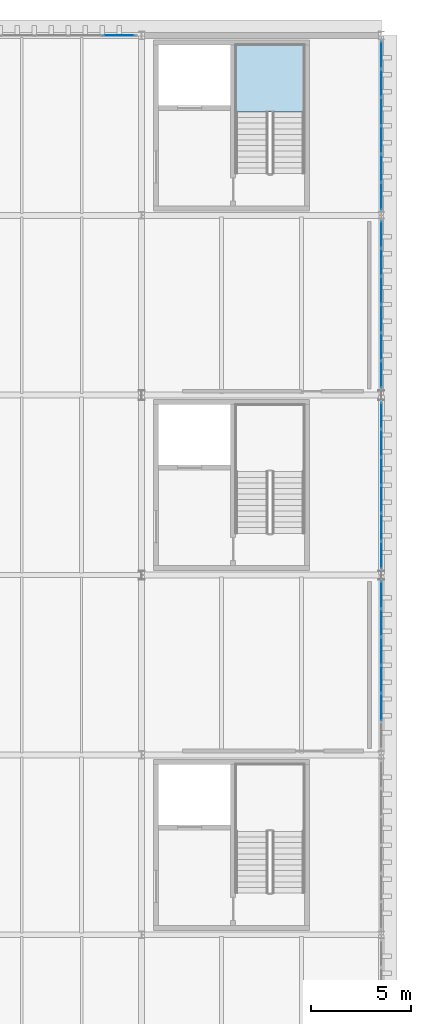
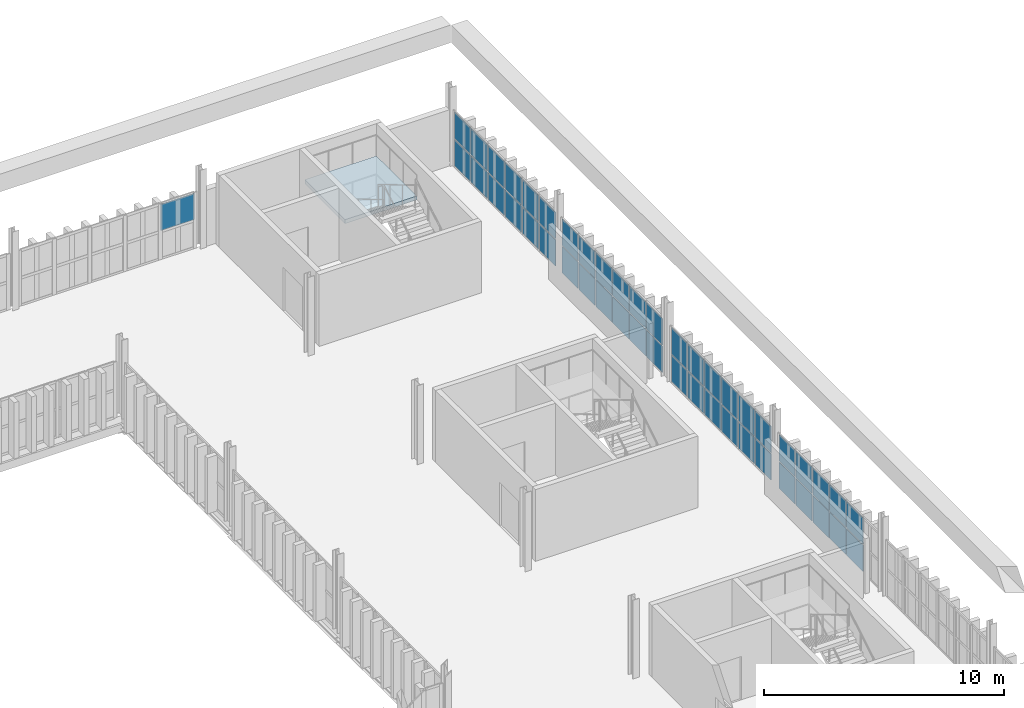
# One storey, part 87 of 102: 47 plates, 1 slab, 6 elements without a shape of their own.
"""IFC4 building model written with IfcOpenShell, lengths in metres."""

import ifcopenshell
import ifcopenshell.guid

model = None  # the IFC model being written
_history = None  # IfcOwnerHistory: only IFC2X3 demands one
_inside = {}  # id of a spatial element -> (the spatial element, [elements in it])
_under = {}  # id of a project, library or spatial element -> (it, [spatial elements below it])
_declared = {}  # id of a project -> (the project, [libraries it declares])
_typed = {}  # id of a type object -> (the type object, [elements of that type])
_made_of = {}  # id of a material, layer set ... -> (it, [elements and type objects made of it])


def new_model(schema):
    """Start an empty IFC model of exactly this schema.

    Asked for "IFC4X3", IfcOpenShell would pick the latest addendum, in which some entities
    have other attributes; the version numbers below select the first issue.
    IFC2X3 requires an IfcOwnerHistory on every rooted entity: one is made here for all.
    """
    global model, _history
    if schema == "IFC4X3":
        model = ifcopenshell.file(schema_version=(4, 3, 0, 0))
    else:
        model = ifcopenshell.file(schema=schema)
    _inside.clear()
    _under.clear()
    _declared.clear()
    _typed.clear()
    _made_of.clear()
    _history = None
    if model.schema == "IFC2X3":
        org = make("IfcOrganization", Name="unknown")
        user = make(
            "IfcPersonAndOrganization",
            ThePerson=make("IfcPerson", FamilyName="unknown"),
            TheOrganization=org,
        )
        app = make(
            "IfcApplication",
            ApplicationDeveloper=org,
            Version="unknown",
            ApplicationFullName="unknown",
            ApplicationIdentifier="unknown",
        )
        _history = make(
            "IfcOwnerHistory",
            OwningUser=user,
            OwningApplication=app,
            ChangeAction="ADDED",
            CreationDate=0,
        )
    return model


def make(cls, **values):
    """One entity of the class cls with the attributes given. An attribute that is None is left unset."""
    return model.create_entity(
        cls, **{name: value for name, value in values.items() if value is not None}
    )


def rooted(cls, **values):
    """An entity with a GlobalId (a new one), such as an element, a storey or a relation."""
    return make(cls, GlobalId=ifcopenshell.guid.new(), OwnerHistory=_history, **values)


def si_unit(unit_type, name, prefix=None):
    """IfcSIUnit, for example si_unit("LENGTHUNIT", "METRE", prefix="MILLI")."""
    return make("IfcSIUnit", UnitType=unit_type, Prefix=prefix, Name=name)


def assignment(units):
    """IfcUnitAssignment: the units of a project."""
    return None if units is None else make("IfcUnitAssignment", Units=units)


def point(xyz):
    """IfcCartesianPoint."""
    return None if xyz is None else make("IfcCartesianPoint", Coordinates=xyz)


def direction(xyz):
    """IfcDirection."""
    return None if xyz is None else make("IfcDirection", DirectionRatios=xyz)


def frame(location, z_axis=None, x_axis=None):
    """IfcAxis2Placement3D, a coordinate frame: its origin and axes. An axis left out is left unset."""
    return make(
        "IfcAxis2Placement3D",
        Location=point(location),
        Axis=direction(z_axis),
        RefDirection=direction(x_axis),
    )


def frame_2d(location, x_axis=None):
    """IfcAxis2Placement2D, a coordinate frame in the plane: its origin and x axis."""
    return make(
        "IfcAxis2Placement2D", Location=point(location), RefDirection=direction(x_axis)
    )


def origin():
    """The frame at (0, 0, 0) with its axes left unset."""
    return frame((0.0, 0.0, 0.0))


def origin_2d():
    """The frame at (0, 0) in the plane with its x axis left unset."""
    return frame_2d((0.0, 0.0))


def place(relative_to, where):
    """IfcLocalPlacement: puts the frame where relative to a parent placement (None: the world)."""
    return make(
        "IfcLocalPlacement", PlacementRelTo=relative_to, RelativePlacement=where
    )


def context(
    kind, dimensions, precision=None, world=None, true_north=None, identifier=None
):
    """IfcGeometricRepresentationContext, for example the 3D "Model" context."""
    return make(
        "IfcGeometricRepresentationContext",
        ContextIdentifier=identifier,
        ContextType=kind,
        CoordinateSpaceDimension=dimensions,
        Precision=precision,
        WorldCoordinateSystem=world,
        TrueNorth=true_north,
    )


def subcontext(parent, identifier, kind, view, scale=None):
    """IfcGeometricRepresentationSubContext, for example "Body" below "Model"."""
    return make(
        "IfcGeometricRepresentationSubContext",
        ContextIdentifier=identifier,
        ContextType=kind,
        ParentContext=parent,
        TargetScale=scale,
        TargetView=view,
    )


def project(units=None, contexts=None):
    """IfcProject with its units and contexts."""
    return rooted(
        "IfcProject",
        Name="project",
        RepresentationContexts=contexts,
        UnitsInContext=assignment(units),
    )


def spatial(cls, under=None, at=None, **own):
    """A site, building, storey or space (cls), placed at a placement, below another one or the project."""
    s = rooted(cls, ObjectPlacement=at, **own)
    if under is not None:
        _under.setdefault(under.id(), (under, []))[1].append(s)
    return s


def polyline(points):
    """IfcPolyline through the points."""
    return make("IfcPolyline", Points=[point(p) for p in points])


def profile(cls, at=None, kind="AREA", **sizes):
    """A parametric profile (cls). Its sizes go by their IFC names, for example OverallWidth=200.0."""
    return make(cls, ProfileType=kind, Position=at, **sizes)


def rectangle(**sizes):
    """IfcRectangleProfileDef."""
    return profile("IfcRectangleProfileDef", **sizes)


def outline(outer, holes=None, kind="AREA"):
    """IfcArbitraryClosedProfileDef: a profile drawn as a closed curve; with holes, ...WithVoids."""
    if holes is None:
        return make("IfcArbitraryClosedProfileDef", ProfileType=kind, OuterCurve=outer)
    return make(
        "IfcArbitraryProfileDefWithVoids",
        ProfileType=kind,
        OuterCurve=outer,
        InnerCurves=holes,
    )


def extrude(swept, where, along, depth):
    """IfcExtrudedAreaSolid: the profile swept, set in the frame where, extruded along a direction by depth."""
    return make(
        "IfcExtrudedAreaSolid",
        SweptArea=swept,
        Position=where,
        ExtrudedDirection=direction(along),
        Depth=depth,
    )


def shape(context_of_items, identifier, shape_type, items):
    """IfcShapeRepresentation: the items that make up one representation, for example the "Body"."""
    return make(
        "IfcShapeRepresentation",
        ContextOfItems=context_of_items,
        RepresentationIdentifier=identifier,
        RepresentationType=shape_type,
        Items=items,
    )


def material(Name=None, Category=None):
    """IfcMaterial."""
    return make("IfcMaterial", Name=Name, Category=Category)


def layer(
    of_material, thickness, ventilated=None, Name=None, Category=None, Priority=None
):
    """IfcMaterialLayer: one layer of a wall or slab, of a material (None: an air gap)."""
    return make(
        "IfcMaterialLayer",
        Material=of_material,
        LayerThickness=thickness,
        IsVentilated=ventilated,
        Name=Name,
        Category=Category,
        Priority=Priority,
    )


def layer_set(layers, Name=None):
    """IfcMaterialLayerSet."""
    return make("IfcMaterialLayerSet", MaterialLayers=layers, LayerSetName=Name)


def made_of(thing, what):
    """Note that an element or type object is made of a material, layer set ...; save() writes the relation."""
    if what is not None:
        _made_of.setdefault(what.id(), (what, []))[1].append(thing)
    return thing


def type_object(cls, material=None, **own):
    """A type object (cls), such as IfcWallType, which elements share."""
    return made_of(rooted(cls, **own), material)


def element(
    cls,
    number,
    at=None,
    inside=None,
    cuts=None,
    type_object=None,
    material=None,
    context=None,
    identifier="Body",
    shape_type=None,
    held_by="IfcProductDefinitionShape",
    body=None,
    shapes=None,
    **own,
):
    """One element of the class cls, such as IfcWall. Its Tag is "e" and its number.

    at: its placement. inside: the storey or other place that contains it. cuts: it is an
    opening in that element (IfcRelVoidsElement). A single representation is given by context,
    identifier, shape_type and body (its items); several are given by shapes. held_by: the class
    of the entity that holds the representations. save() writes the other relations.
    """
    e = rooted(cls, Tag="e%d" % number, ObjectPlacement=at, **own)
    if body is not None:
        shapes = [shape(context, identifier, shape_type, body)]
    if shapes is not None:
        e.Representation = make(held_by, Representations=shapes)
    if inside is not None:
        _inside.setdefault(inside.id(), (inside, []))[1].append(e)
    if cuts is not None:
        rooted(
            "IfcRelVoidsElement", RelatingBuildingElement=cuts, RelatedOpeningElement=e
        )
    if type_object is not None:
        _typed.setdefault(type_object.id(), (type_object, []))[1].append(e)
    return made_of(e, material)


def aggregate(whole, parts):
    """IfcRelAggregates: a whole, such as a stair, and the parts it consists of."""
    return rooted("IfcRelAggregates", RelatingObject=whole, RelatedObjects=parts)


def save(model, path):
    """Write the relations noted so far, then the file.

    IfcRelAggregates (storeys below a building ...), IfcRelContainedInSpatialStructure (elements
    in a storey), IfcRelDefinesByType, IfcRelAssociatesMaterial and IfcRelDeclares: one each for
    every whole, place, type object, material and project.
    """
    for whole, parts in _under.values():
        aggregate(whole, parts)
    for where, things in _inside.values():
        rooted(
            "IfcRelContainedInSpatialStructure",
            RelatedElements=things,
            RelatingStructure=where,
        )
    for kind, things in _typed.values():
        rooted("IfcRelDefinesByType", RelatedObjects=things, RelatingType=kind)
    for what, things in _made_of.values():
        rooted("IfcRelAssociatesMaterial", RelatedObjects=things, RelatingMaterial=what)
    for by, libraries in _declared.values():
        rooted("IfcRelDeclares", RelatingContext=by, RelatedDefinitions=libraries)
    model.write(path)


model = new_model("IFC4")

# Units and contexts
model_context = context("Model", 3, precision=1e-05, world=origin(), true_north=direction((0.0, 1.0)))
body_context = subcontext(model_context, "Body", "Model", "MODEL_VIEW")
ifc_project = project(units=[si_unit("LENGTHUNIT", "METRE"), si_unit("AREAUNIT", "SQUARE_METRE"), si_unit("VOLUMEUNIT", "CUBIC_METRE"), si_unit("PLANEANGLEUNIT", "RADIAN"), si_unit("MASSUNIT", "GRAM", prefix="KILO")], contexts=[model_context])

# Site, building, storey
site_placement = place(None, origin())
site = spatial("IfcSite", under=ifc_project, at=site_placement, CompositionType="ELEMENT")
building_placement = place(site_placement, origin())
building = spatial("IfcBuilding", under=site, at=building_placement, Name="Barlavento Convention Centre", CompositionType="ELEMENT")
storey_placement = place(building_placement, frame((0.0, 0.0, 22.800048828125)))
storey = spatial("IfcBuildingStorey", under=building, at=storey_placement, Name="L04", CompositionType="ELEMENT", Elevation=22.800048828125)

# Curtain wall, plates
ifc_material_1 = material(Name="Powder-coated aluminium and Low-E glass", Category="aluminium")
ifc_layer_1 = layer(ifc_material_1, 0.18505859375)
ifc_layer_set_1 = layer_set([ifc_layer_1], Name="ARC-CW-CONF-L04")
curtain_wall_type = type_object("IfcCurtainWallType", Name="ARC-CW-CONF-L04", PredefinedType="NOTDEFINED", material=ifc_layer_set_1)
curtain_wall_1_placement = place(storey_placement, origin())
curtain_wall_1 = element("IfcCurtainWall", 1, at=curtain_wall_1_placement, inside=storey, type_object=curtain_wall_type, Name="L04 unitised curtain wall CW09", PredefinedType="NOTDEFINED")
ifc_material_2 = material(Name="Double-silver Low-E insulated glass", Category="glass")
ifc_layer_2 = layer(ifc_material_2, 0.028076171875)
ifc_layer_set_2 = layer_set([ifc_layer_2], Name="ARC-CWP-GLZ28")
plate_type = type_object("IfcPlateType", Name="ARC-CWP-GLZ28", PredefinedType="CURTAIN_PANEL", material=ifc_layer_set_2)
plate_1_placement = place(storey_placement, frame((192.0, 65.373779296875, 0.06005859375), z_axis=(0.0, 0.0, 1.0), x_axis=(0.0, 1.0, 0.0)))
plate_1 = element("IfcPlate", 2, at=plate_1_placement, type_object=plate_type, Name="CW09 panel 2.1", PredefinedType="CURTAIN_PANEL", context=body_context, shape_type="SweptSolid", body=[
    extrude(rectangle(XDim=1.34912109375, YDim=0.028076171875, at=origin_2d()), origin(), (0.0, 0.0, 1.0), 1.3349609375),
])
plate_2_placement = place(storey_placement, frame((192.0, 65.373779296875, 1.455078125), z_axis=(0.0, 0.0, 1.0), x_axis=(0.0, 1.0, 0.0)))
plate_2 = element("IfcPlate", 3, at=plate_2_placement, type_object=plate_type, Name="CW09 panel 2.2", PredefinedType="CURTAIN_PANEL", context=body_context, shape_type="SweptSolid", body=[
    extrude(rectangle(XDim=1.34912109375, YDim=0.028076171875, at=origin_2d()), origin(), (0.0, 0.0, 1.0), 1.3349609375),
])
plate_3_placement = place(storey_placement, frame((192.0, 66.782958984375, 0.06005859375), z_axis=(0.0, 0.0, 1.0), x_axis=(0.0, 1.0, 0.0)))
plate_3 = element("IfcPlate", 4, at=plate_3_placement, type_object=plate_type, Name="CW09 panel 3.1", PredefinedType="CURTAIN_PANEL", context=body_context, shape_type="SweptSolid", body=[
    extrude(rectangle(XDim=1.34912109375, YDim=0.028076171875, at=origin_2d()), origin(), (0.0, 0.0, 1.0), 1.3349609375),
])
plate_4_placement = place(storey_placement, frame((192.0, 66.782958984375, 1.455078125), z_axis=(0.0, 0.0, 1.0), x_axis=(0.0, 1.0, 0.0)))
plate_4 = element("IfcPlate", 5, at=plate_4_placement, type_object=plate_type, Name="CW09 panel 3.2", PredefinedType="CURTAIN_PANEL", context=body_context, shape_type="SweptSolid", body=[
    extrude(rectangle(XDim=1.34912109375, YDim=0.028076171875, at=origin_2d()), origin(), (0.0, 0.0, 1.0), 1.3349609375),
])
plate_5_placement = place(storey_placement, frame((192.0, 68.192138671875, 0.06005859375), z_axis=(0.0, 0.0, 1.0), x_axis=(0.0, 1.0, 0.0)))
plate_5 = element("IfcPlate", 6, at=plate_5_placement, type_object=plate_type, Name="CW09 panel 4.1", PredefinedType="CURTAIN_PANEL", context=body_context, shape_type="SweptSolid", body=[
    extrude(rectangle(XDim=1.34912109375, YDim=0.028076171875, at=origin_2d()), origin(), (0.0, 0.0, 1.0), 1.3349609375),
])
plate_6_placement = place(storey_placement, frame((192.0, 68.192138671875, 1.455078125), z_axis=(0.0, 0.0, 1.0), x_axis=(0.0, 1.0, 0.0)))
plate_6 = element("IfcPlate", 7, at=plate_6_placement, type_object=plate_type, Name="CW09 panel 4.2", PredefinedType="CURTAIN_PANEL", context=body_context, shape_type="SweptSolid", body=[
    extrude(rectangle(XDim=1.34912109375, YDim=0.028076171875, at=origin_2d()), origin(), (0.0, 0.0, 1.0), 1.3349609375),
])
plate_7_placement = place(storey_placement, frame((192.0, 69.601318359375, 0.06005859375), z_axis=(0.0, 0.0, 1.0), x_axis=(0.0, 1.0, 0.0)))
plate_7 = element("IfcPlate", 8, at=plate_7_placement, type_object=plate_type, Name="CW09 panel 5.1", PredefinedType="CURTAIN_PANEL", context=body_context, shape_type="SweptSolid", body=[
    extrude(rectangle(XDim=1.34912109375, YDim=0.028076171875, at=origin_2d()), origin(), (0.0, 0.0, 1.0), 1.3349609375),
])
plate_8_placement = place(storey_placement, frame((192.0, 69.601318359375, 1.455078125), z_axis=(0.0, 0.0, 1.0), x_axis=(0.0, 1.0, 0.0)))
plate_8 = element("IfcPlate", 9, at=plate_8_placement, type_object=plate_type, Name="CW09 panel 5.2", PredefinedType="CURTAIN_PANEL", context=body_context, shape_type="SweptSolid", body=[
    extrude(rectangle(XDim=1.34912109375, YDim=0.028076171875, at=origin_2d()), origin(), (0.0, 0.0, 1.0), 1.3349609375),
])
plate_9_placement = place(storey_placement, frame((192.0, 70.995361328125, 0.06005859375), z_axis=(0.0, 0.0, 1.0), x_axis=(0.0, 1.0, 0.0)))
plate_9 = element("IfcPlate", 10, at=plate_9_placement, type_object=plate_type, Name="CW09 panel 6.1", PredefinedType="CURTAIN_PANEL", context=body_context, shape_type="SweptSolid", body=[
    extrude(rectangle(XDim=1.319091796875, YDim=0.028076171875, at=origin_2d()), origin(), (0.0, 0.0, 1.0), 1.3349609375),
])
plate_10_placement = place(storey_placement, frame((192.0, 70.995361328125, 1.455078125), z_axis=(0.0, 0.0, 1.0), x_axis=(0.0, 1.0, 0.0)))
plate_10 = element("IfcPlate", 11, at=plate_10_placement, type_object=plate_type, Name="CW09 panel 6.2", PredefinedType="CURTAIN_PANEL", context=body_context, shape_type="SweptSolid", body=[
    extrude(rectangle(XDim=1.319091796875, YDim=0.028076171875, at=origin_2d()), origin(), (0.0, 0.0, 1.0), 1.3349609375),
])
aggregate(curtain_wall_1, [plate_1, plate_2, plate_3, plate_4, plate_5, plate_6, plate_7, plate_8, plate_9, plate_10])

curtain_wall_2_placement = place(storey_placement, origin())
curtain_wall_2 = element("IfcCurtainWall", 12, at=curtain_wall_2_placement, inside=storey, type_object=curtain_wall_type, Name="L04 unitised curtain wall CW09", PredefinedType="NOTDEFINED")
plate_11_placement = place(storey_placement, frame((192.0, 73.00048828125, 0.06005859375), z_axis=(0.0, 0.0, 1.0), x_axis=(0.0, 1.0, 0.0)))
plate_11 = element("IfcPlate", 13, at=plate_11_placement, type_object=plate_type, Name="CW09 panel 1.1", PredefinedType="CURTAIN_PANEL", context=body_context, shape_type="SweptSolid", body=[
    extrude(rectangle(XDim=1.310791015625, YDim=0.028076171875, at=origin_2d()), origin(), (0.0, 0.0, 1.0), 1.3349609375),
])
plate_12_placement = place(storey_placement, frame((192.0, 73.00048828125, 1.455078125), z_axis=(0.0, 0.0, 1.0), x_axis=(0.0, 1.0, 0.0)))
plate_12 = element("IfcPlate", 14, at=plate_12_placement, type_object=plate_type, Name="CW09 panel 1.2", PredefinedType="CURTAIN_PANEL", context=body_context, shape_type="SweptSolid", body=[
    extrude(rectangle(XDim=1.310791015625, YDim=0.028076171875, at=origin_2d()), origin(), (0.0, 0.0, 1.0), 1.3349609375),
])
plate_13_placement = place(storey_placement, frame((192.0, 74.38623046875, 0.06005859375), z_axis=(0.0, 0.0, 1.0), x_axis=(0.0, 1.0, 0.0)))
plate_13 = element("IfcPlate", 15, at=plate_13_placement, type_object=plate_type, Name="CW09 panel 2.1", PredefinedType="CURTAIN_PANEL", context=body_context, shape_type="SweptSolid", body=[
    extrude(rectangle(XDim=1.3408203125, YDim=0.028076171875, at=origin_2d()), origin(), (0.0, 0.0, 1.0), 1.3349609375),
])
plate_14_placement = place(storey_placement, frame((192.0, 74.38623046875, 1.455078125), z_axis=(0.0, 0.0, 1.0), x_axis=(0.0, 1.0, 0.0)))
plate_14 = element("IfcPlate", 16, at=plate_14_placement, type_object=plate_type, Name="CW09 panel 2.2", PredefinedType="CURTAIN_PANEL", context=body_context, shape_type="SweptSolid", body=[
    extrude(rectangle(XDim=1.3408203125, YDim=0.028076171875, at=origin_2d()), origin(), (0.0, 0.0, 1.0), 1.3349609375),
])
plate_15_placement = place(storey_placement, frame((192.0, 75.787109375, 0.06005859375), z_axis=(0.0, 0.0, 1.0), x_axis=(0.0, 1.0, 0.0)))
plate_15 = element("IfcPlate", 17, at=plate_15_placement, type_object=plate_type, Name="CW09 panel 3.1", PredefinedType="CURTAIN_PANEL", context=body_context, shape_type="SweptSolid", body=[
    extrude(rectangle(XDim=1.3408203125, YDim=0.028076171875, at=origin_2d()), origin(), (0.0, 0.0, 1.0), 1.3349609375),
])
plate_16_placement = place(storey_placement, frame((192.0, 75.787109375, 1.455078125), z_axis=(0.0, 0.0, 1.0), x_axis=(0.0, 1.0, 0.0)))
plate_16 = element("IfcPlate", 18, at=plate_16_placement, type_object=plate_type, Name="CW09 panel 3.2", PredefinedType="CURTAIN_PANEL", context=body_context, shape_type="SweptSolid", body=[
    extrude(rectangle(XDim=1.3408203125, YDim=0.028076171875, at=origin_2d()), origin(), (0.0, 0.0, 1.0), 1.3349609375),
])
plate_17_placement = place(storey_placement, frame((192.0, 77.18798828125, 0.06005859375), z_axis=(0.0, 0.0, 1.0), x_axis=(0.0, 1.0, 0.0)))
plate_17 = element("IfcPlate", 19, at=plate_17_placement, type_object=plate_type, Name="CW09 panel 4.1", PredefinedType="CURTAIN_PANEL", context=body_context, shape_type="SweptSolid", body=[
    extrude(rectangle(XDim=1.3408203125, YDim=0.028076171875, at=origin_2d()), origin(), (0.0, 0.0, 1.0), 1.3349609375),
])
plate_18_placement = place(storey_placement, frame((192.0, 77.18798828125, 1.455078125), z_axis=(0.0, 0.0, 1.0), x_axis=(0.0, 1.0, 0.0)))
plate_18 = element("IfcPlate", 20, at=plate_18_placement, type_object=plate_type, Name="CW09 panel 4.2", PredefinedType="CURTAIN_PANEL", context=body_context, shape_type="SweptSolid", body=[
    extrude(rectangle(XDim=1.3408203125, YDim=0.028076171875, at=origin_2d()), origin(), (0.0, 0.0, 1.0), 1.3349609375),
])
plate_19_placement = place(storey_placement, frame((192.0, 78.5888671875, 0.06005859375), z_axis=(0.0, 0.0, 1.0), x_axis=(0.0, 1.0, 0.0)))
plate_19 = element("IfcPlate", 21, at=plate_19_placement, type_object=plate_type, Name="CW09 panel 5.1", PredefinedType="CURTAIN_PANEL", context=body_context, shape_type="SweptSolid", body=[
    extrude(rectangle(XDim=1.3408203125, YDim=0.028076171875, at=origin_2d()), origin(), (0.0, 0.0, 1.0), 1.3349609375),
])
plate_20_placement = place(storey_placement, frame((192.0, 78.5888671875, 1.455078125), z_axis=(0.0, 0.0, 1.0), x_axis=(0.0, 1.0, 0.0)))
plate_20 = element("IfcPlate", 22, at=plate_20_placement, type_object=plate_type, Name="CW09 panel 5.2", PredefinedType="CURTAIN_PANEL", context=body_context, shape_type="SweptSolid", body=[
    extrude(rectangle(XDim=1.3408203125, YDim=0.028076171875, at=origin_2d()), origin(), (0.0, 0.0, 1.0), 1.3349609375),
])
plate_21_placement = place(storey_placement, frame((192.0, 79.974609375, 0.06005859375), z_axis=(0.0, 0.0, 1.0), x_axis=(0.0, 1.0, 0.0)))
plate_21 = element("IfcPlate", 23, at=plate_21_placement, type_object=plate_type, Name="CW09 panel 6.1", PredefinedType="CURTAIN_PANEL", context=body_context, shape_type="SweptSolid", body=[
    extrude(rectangle(XDim=1.310791015625, YDim=0.028076171875, at=origin_2d()), origin(), (0.0, 0.0, 1.0), 1.3349609375),
])
plate_22_placement = place(storey_placement, frame((192.0, 79.974609375, 1.455078125), z_axis=(0.0, 0.0, 1.0), x_axis=(0.0, 1.0, 0.0)))
plate_22 = element("IfcPlate", 24, at=plate_22_placement, type_object=plate_type, Name="CW09 panel 6.2", PredefinedType="CURTAIN_PANEL", context=body_context, shape_type="SweptSolid", body=[
    extrude(rectangle(XDim=1.310791015625, YDim=0.028076171875, at=origin_2d()), origin(), (0.0, 0.0, 1.0), 1.3349609375),
])
aggregate(curtain_wall_2, [plate_11, plate_12, plate_13, plate_14, plate_15, plate_16, plate_17, plate_18, plate_19, plate_20, plate_21, plate_22])

curtain_wall_3_placement = place(storey_placement, origin())
curtain_wall_3 = element("IfcCurtainWall", 25, at=curtain_wall_3_placement, inside=storey, type_object=curtain_wall_type, Name="L04 unitised curtain wall CW09", PredefinedType="NOTDEFINED")
plate_23_placement = place(storey_placement, frame((192.0, 82.030029296875, 0.06005859375), z_axis=(0.0, 0.0, 1.0), x_axis=(0.0, 1.0, 0.0)))
plate_23 = element("IfcPlate", 26, at=plate_23_placement, type_object=plate_type, Name="CW09 panel 1.1", PredefinedType="CURTAIN_PANEL", context=body_context, shape_type="SweptSolid", body=[
    extrude(rectangle(XDim=1.320068359375, YDim=0.028076171875, at=origin_2d()), origin(), (0.0, 0.0, 1.0), 1.3349609375),
])
plate_24_placement = place(storey_placement, frame((192.0, 82.030029296875, 1.455078125), z_axis=(0.0, 0.0, 1.0), x_axis=(0.0, 1.0, 0.0)))
plate_24 = element("IfcPlate", 27, at=plate_24_placement, type_object=plate_type, Name="CW09 panel 1.2", PredefinedType="CURTAIN_PANEL", context=body_context, shape_type="SweptSolid", body=[
    extrude(rectangle(XDim=1.320068359375, YDim=0.028076171875, at=origin_2d()), origin(), (0.0, 0.0, 1.0), 1.3349609375),
])
plate_25_placement = place(storey_placement, frame((192.0, 83.425048828125, 0.06005859375), z_axis=(0.0, 0.0, 1.0), x_axis=(0.0, 1.0, 0.0)))
plate_25 = element("IfcPlate", 28, at=plate_25_placement, type_object=plate_type, Name="CW09 panel 2.1", PredefinedType="CURTAIN_PANEL", context=body_context, shape_type="SweptSolid", body=[
    extrude(rectangle(XDim=1.35009765625, YDim=0.028076171875, at=origin_2d()), origin(), (0.0, 0.0, 1.0), 1.3349609375),
])
plate_26_placement = place(storey_placement, frame((192.0, 83.425048828125, 1.455078125), z_axis=(0.0, 0.0, 1.0), x_axis=(0.0, 1.0, 0.0)))
plate_26 = element("IfcPlate", 29, at=plate_26_placement, type_object=plate_type, Name="CW09 panel 2.2", PredefinedType="CURTAIN_PANEL", context=body_context, shape_type="SweptSolid", body=[
    extrude(rectangle(XDim=1.35009765625, YDim=0.028076171875, at=origin_2d()), origin(), (0.0, 0.0, 1.0), 1.3349609375),
])
plate_27_placement = place(storey_placement, frame((192.0, 84.8349609375, 0.06005859375), z_axis=(0.0, 0.0, 1.0), x_axis=(0.0, 1.0, 0.0)))
plate_27 = element("IfcPlate", 30, at=plate_27_placement, type_object=plate_type, Name="CW09 panel 3.1", PredefinedType="CURTAIN_PANEL", context=body_context, shape_type="SweptSolid", body=[
    extrude(rectangle(XDim=1.35009765625, YDim=0.028076171875, at=origin_2d()), origin(), (0.0, 0.0, 1.0), 1.3349609375),
])
plate_28_placement = place(storey_placement, frame((192.0, 84.8349609375, 1.455078125), z_axis=(0.0, 0.0, 1.0), x_axis=(0.0, 1.0, 0.0)))
plate_28 = element("IfcPlate", 31, at=plate_28_placement, type_object=plate_type, Name="CW09 panel 3.2", PredefinedType="CURTAIN_PANEL", context=body_context, shape_type="SweptSolid", body=[
    extrude(rectangle(XDim=1.35009765625, YDim=0.028076171875, at=origin_2d()), origin(), (0.0, 0.0, 1.0), 1.3349609375),
])
plate_29_placement = place(storey_placement, frame((192.0, 86.2451171875, 0.06005859375), z_axis=(0.0, 0.0, 1.0), x_axis=(0.0, 1.0, 0.0)))
plate_29 = element("IfcPlate", 32, at=plate_29_placement, type_object=plate_type, Name="CW09 panel 4.1", PredefinedType="CURTAIN_PANEL", context=body_context, shape_type="SweptSolid", body=[
    extrude(rectangle(XDim=1.35009765625, YDim=0.028076171875, at=origin_2d()), origin(), (0.0, 0.0, 1.0), 1.3349609375),
])
plate_30_placement = place(storey_placement, frame((192.0, 86.2451171875, 1.455078125), z_axis=(0.0, 0.0, 1.0), x_axis=(0.0, 1.0, 0.0)))
plate_30 = element("IfcPlate", 33, at=plate_30_placement, type_object=plate_type, Name="CW09 panel 4.2", PredefinedType="CURTAIN_PANEL", context=body_context, shape_type="SweptSolid", body=[
    extrude(rectangle(XDim=1.35009765625, YDim=0.028076171875, at=origin_2d()), origin(), (0.0, 0.0, 1.0), 1.3349609375),
])
plate_31_placement = place(storey_placement, frame((192.0, 87.655029296875, 0.06005859375), z_axis=(0.0, 0.0, 1.0), x_axis=(0.0, 1.0, 0.0)))
plate_31 = element("IfcPlate", 34, at=plate_31_placement, type_object=plate_type, Name="CW09 panel 5.1", PredefinedType="CURTAIN_PANEL", context=body_context, shape_type="SweptSolid", body=[
    extrude(rectangle(XDim=1.35009765625, YDim=0.028076171875, at=origin_2d()), origin(), (0.0, 0.0, 1.0), 1.3349609375),
])
plate_32_placement = place(storey_placement, frame((192.0, 87.655029296875, 1.455078125), z_axis=(0.0, 0.0, 1.0), x_axis=(0.0, 1.0, 0.0)))
plate_32 = element("IfcPlate", 35, at=plate_32_placement, type_object=plate_type, Name="CW09 panel 5.2", PredefinedType="CURTAIN_PANEL", context=body_context, shape_type="SweptSolid", body=[
    extrude(rectangle(XDim=1.35009765625, YDim=0.028076171875, at=origin_2d()), origin(), (0.0, 0.0, 1.0), 1.3349609375),
])
plate_33_placement = place(storey_placement, frame((192.0, 89.050048828125, 0.06005859375), z_axis=(0.0, 0.0, 1.0), x_axis=(0.0, 1.0, 0.0)))
plate_33 = element("IfcPlate", 36, at=plate_33_placement, type_object=plate_type, Name="CW09 panel 6.1", PredefinedType="CURTAIN_PANEL", context=body_context, shape_type="SweptSolid", body=[
    extrude(rectangle(XDim=1.320068359375, YDim=0.028076171875, at=origin_2d()), origin(), (0.0, 0.0, 1.0), 1.3349609375),
])
plate_34_placement = place(storey_placement, frame((192.0, 89.050048828125, 1.455078125), z_axis=(0.0, 0.0, 1.0), x_axis=(0.0, 1.0, 0.0)))
plate_34 = element("IfcPlate", 37, at=plate_34_placement, type_object=plate_type, Name="CW09 panel 6.2", PredefinedType="CURTAIN_PANEL", context=body_context, shape_type="SweptSolid", body=[
    extrude(rectangle(XDim=1.320068359375, YDim=0.028076171875, at=origin_2d()), origin(), (0.0, 0.0, 1.0), 1.3349609375),
])
aggregate(curtain_wall_3, [plate_23, plate_24, plate_25, plate_26, plate_27, plate_28, plate_29, plate_30, plate_31, plate_32, plate_33, plate_34])

curtain_wall_4_placement = place(storey_placement, origin())
curtain_wall_4 = element("IfcCurtainWall", 38, at=curtain_wall_4_placement, inside=storey, type_object=curtain_wall_type, Name="L04 unitised curtain wall CW09", PredefinedType="NOTDEFINED")
plate_35_placement = place(storey_placement, frame((192.0, 90.9541015625, 0.06005859375), z_axis=(0.0, 0.0, 1.0), x_axis=(0.0, 1.0, 0.0)))
plate_35 = element("IfcPlate", 39, at=plate_35_placement, type_object=plate_type, Name="CW09 panel 1.1", PredefinedType="CURTAIN_PANEL", context=body_context, shape_type="SweptSolid", body=[
    extrude(rectangle(XDim=1.328369140625, YDim=0.028076171875, at=origin_2d()), origin(), (0.0, 0.0, 1.0), 1.3349609375),
])
plate_36_placement = place(storey_placement, frame((192.0, 90.9541015625, 1.455078125), z_axis=(0.0, 0.0, 1.0), x_axis=(0.0, 1.0, 0.0)))
plate_36 = element("IfcPlate", 40, at=plate_36_placement, type_object=plate_type, Name="CW09 panel 1.2", PredefinedType="CURTAIN_PANEL", context=body_context, shape_type="SweptSolid", body=[
    extrude(rectangle(XDim=1.328369140625, YDim=0.028076171875, at=origin_2d()), origin(), (0.0, 0.0, 1.0), 1.3349609375),
])
plate_37_placement = place(storey_placement, frame((192.0, 92.357421875, 0.06005859375), z_axis=(0.0, 0.0, 1.0), x_axis=(0.0, 1.0, 0.0)))
plate_37 = element("IfcPlate", 41, at=plate_37_placement, type_object=plate_type, Name="CW09 panel 2.1", PredefinedType="CURTAIN_PANEL", context=body_context, shape_type="SweptSolid", body=[
    extrude(rectangle(XDim=1.3583984375, YDim=0.028076171875, at=origin_2d()), origin(), (0.0, 0.0, 1.0), 1.3349609375),
])
plate_38_placement = place(storey_placement, frame((192.0, 92.357421875, 1.455078125), z_axis=(0.0, 0.0, 1.0), x_axis=(0.0, 1.0, 0.0)))
plate_38 = element("IfcPlate", 42, at=plate_38_placement, type_object=plate_type, Name="CW09 panel 2.2", PredefinedType="CURTAIN_PANEL", context=body_context, shape_type="SweptSolid", body=[
    extrude(rectangle(XDim=1.3583984375, YDim=0.028076171875, at=origin_2d()), origin(), (0.0, 0.0, 1.0), 1.3349609375),
])
plate_39_placement = place(storey_placement, frame((192.0, 93.77587890625, 0.06005859375), z_axis=(0.0, 0.0, 1.0), x_axis=(0.0, 1.0, 0.0)))
plate_39 = element("IfcPlate", 43, at=plate_39_placement, type_object=plate_type, Name="CW09 panel 3.1", PredefinedType="CURTAIN_PANEL", context=body_context, shape_type="SweptSolid", body=[
    extrude(rectangle(XDim=1.3583984375, YDim=0.028076171875, at=origin_2d()), origin(), (0.0, 0.0, 1.0), 1.3349609375),
])
plate_40_placement = place(storey_placement, frame((192.0, 93.77587890625, 1.455078125), z_axis=(0.0, 0.0, 1.0), x_axis=(0.0, 1.0, 0.0)))
plate_40 = element("IfcPlate", 44, at=plate_40_placement, type_object=plate_type, Name="CW09 panel 3.2", PredefinedType="CURTAIN_PANEL", context=body_context, shape_type="SweptSolid", body=[
    extrude(rectangle(XDim=1.3583984375, YDim=0.028076171875, at=origin_2d()), origin(), (0.0, 0.0, 1.0), 1.3349609375),
])
plate_41_placement = place(storey_placement, frame((192.0, 95.194091796875, 0.06005859375), z_axis=(0.0, 0.0, 1.0), x_axis=(0.0, 1.0, 0.0)))
plate_41 = element("IfcPlate", 45, at=plate_41_placement, type_object=plate_type, Name="CW09 panel 4.1", PredefinedType="CURTAIN_PANEL", context=body_context, shape_type="SweptSolid", body=[
    extrude(rectangle(XDim=1.3583984375, YDim=0.028076171875, at=origin_2d()), origin(), (0.0, 0.0, 1.0), 1.3349609375),
])
plate_42_placement = place(storey_placement, frame((192.0, 95.194091796875, 1.455078125), z_axis=(0.0, 0.0, 1.0), x_axis=(0.0, 1.0, 0.0)))
plate_42 = element("IfcPlate", 46, at=plate_42_placement, type_object=plate_type, Name="CW09 panel 4.2", PredefinedType="CURTAIN_PANEL", context=body_context, shape_type="SweptSolid", body=[
    extrude(rectangle(XDim=1.3583984375, YDim=0.028076171875, at=origin_2d()), origin(), (0.0, 0.0, 1.0), 1.3349609375),
])
plate_43_placement = place(storey_placement, frame((192.0, 96.612548828125, 0.06005859375), z_axis=(0.0, 0.0, 1.0), x_axis=(0.0, 1.0, 0.0)))
plate_43 = element("IfcPlate", 47, at=plate_43_placement, type_object=plate_type, Name="CW09 panel 5.1", PredefinedType="CURTAIN_PANEL", context=body_context, shape_type="SweptSolid", body=[
    extrude(rectangle(XDim=1.3583984375, YDim=0.028076171875, at=origin_2d()), origin(), (0.0, 0.0, 1.0), 1.3349609375),
])
plate_44_placement = place(storey_placement, frame((192.0, 96.612548828125, 1.455078125), z_axis=(0.0, 0.0, 1.0), x_axis=(0.0, 1.0, 0.0)))
plate_44 = element("IfcPlate", 48, at=plate_44_placement, type_object=plate_type, Name="CW09 panel 5.2", PredefinedType="CURTAIN_PANEL", context=body_context, shape_type="SweptSolid", body=[
    extrude(rectangle(XDim=1.3583984375, YDim=0.028076171875, at=origin_2d()), origin(), (0.0, 0.0, 1.0), 1.3349609375),
])
plate_45_placement = place(storey_placement, frame((192.0, 98.015869140625, 0.06005859375), z_axis=(0.0, 0.0, 1.0), x_axis=(0.0, 1.0, 0.0)))
plate_45 = element("IfcPlate", 49, at=plate_45_placement, type_object=plate_type, Name="CW09 panel 6.1", PredefinedType="CURTAIN_PANEL", context=body_context, shape_type="SweptSolid", body=[
    extrude(rectangle(XDim=1.328369140625, YDim=0.028076171875, at=origin_2d()), origin(), (0.0, 0.0, 1.0), 1.3349609375),
])
plate_46_placement = place(storey_placement, frame((192.0, 98.015869140625, 1.455078125), z_axis=(0.0, 0.0, 1.0), x_axis=(0.0, 1.0, 0.0)))
plate_46 = element("IfcPlate", 50, at=plate_46_placement, type_object=plate_type, Name="CW09 panel 6.2", PredefinedType="CURTAIN_PANEL", context=body_context, shape_type="SweptSolid", body=[
    extrude(rectangle(XDim=1.328369140625, YDim=0.028076171875, at=origin_2d()), origin(), (0.0, 0.0, 1.0), 1.3349609375),
])
aggregate(curtain_wall_4, [plate_35, plate_36, plate_37, plate_38, plate_39, plate_40, plate_41, plate_42, plate_43, plate_44, plate_45, plate_46])

# Curtain wall, plate
curtain_wall_5_placement = place(storey_placement, origin())
curtain_wall_5 = element("IfcCurtainWall", 51, at=curtain_wall_5_placement, inside=storey, type_object=curtain_wall_type, Name="L04 unitised curtain wall CW09", PredefinedType="NOTDEFINED")
plate_47_placement = place(storey_placement, frame((178.865966796875, 99.0, 1.455078125), z_axis=(0.0, 0.0, 1.0), x_axis=(1.0, 0.0, 0.0)))
plate_47 = element("IfcPlate", 52, at=plate_47_placement, type_object=plate_type, Name="CW09 panel 5.2", PredefinedType="CURTAIN_PANEL", context=body_context, shape_type="SweptSolid", body=[
    extrude(rectangle(XDim=1.60791015625, YDim=0.028076171875, at=origin_2d()), origin(), (0.0, 0.0, 1.0), 1.3349609375),
])
aggregate(curtain_wall_5, [plate_47])

# Stair, slab
ifc_material_3 = material(Name="Concrete C40/50", Category="concrete")
stair_type = type_object("IfcStairType", Name="ARC-STR-DOG-1620", PredefinedType="HALF_TURN_STAIR", material=ifc_material_3)
stair_placement = place(storey_placement, origin())
stair = element("IfcStair", 53, at=stair_placement, inside=storey, type_object=stair_type, Name="L04 ST08", PredefinedType="HALF_TURN_STAIR")
ifc_layer_3 = layer(ifc_material_3, 0.199951171875)
ifc_layer_set_3 = layer_set([ifc_layer_3], Name="ARC-SLB-LND-200")
slab_type = type_object("IfcSlabType", Name="ARC-SLB-LND-200", PredefinedType="LANDING", material=ifc_layer_set_3)
slab_placement = place(storey_placement, frame((0.0, 0.0, 1.800048828125)))
slab = element("IfcSlab", 54, at=slab_placement, type_object=slab_type, Name="ST08 landing 1", PredefinedType="LANDING", context=body_context, shape_type="SweptSolid", body=[
    extrude(outline(polyline([(188.14990234375, 95.169921875), (188.14990234375, 98.530029296875), (184.7099609375, 98.530029296875), (184.7099609375, 95.169921875), (188.14990234375, 95.169921875)])), origin(), (0.0, 0.0, 1.0), 0.199951171875),
])
aggregate(stair, [slab])

save(model, "model.ifc")
